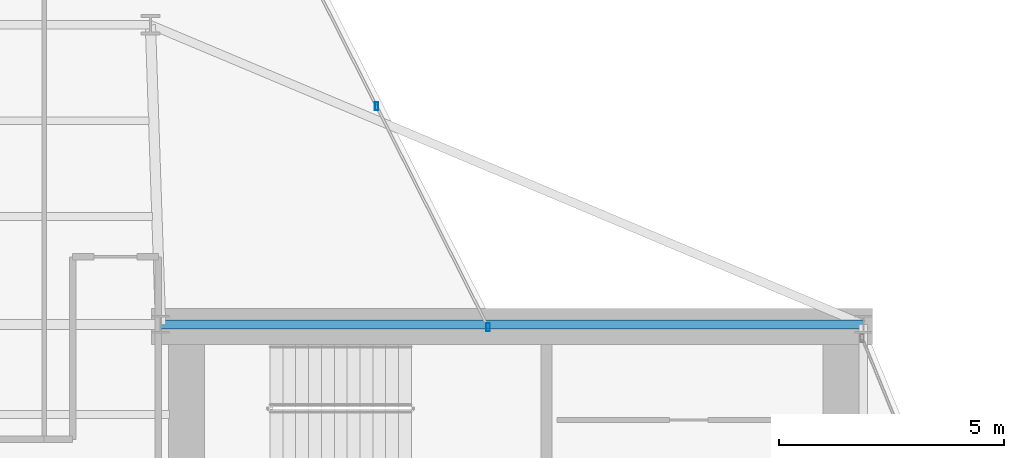
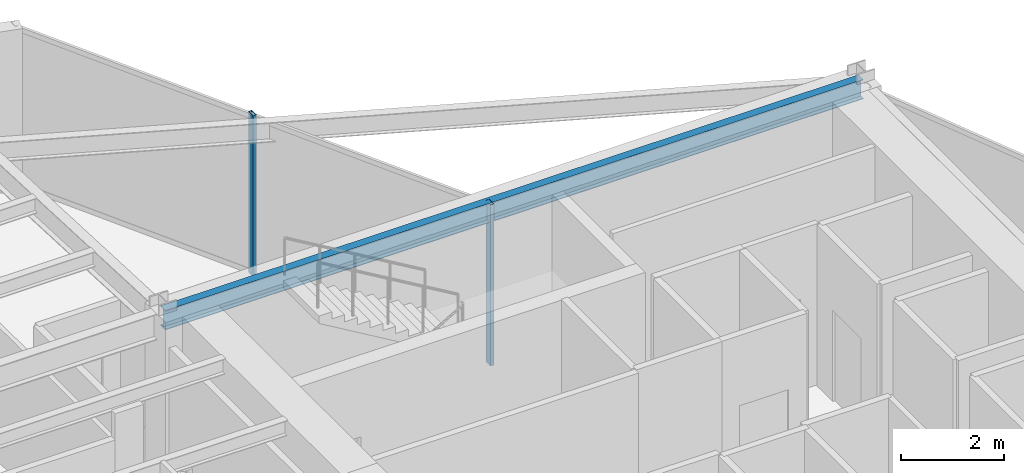
# One storey, part 16 of 26: 2 members, 1 beam, 1 element without a shape of its own.
"""IFC4 building model written with IfcOpenShell, lengths in metres."""

from ifc_helpers import new_model, si_unit, direction, frame, origin, origin_2d, place, context, subcontext, project, spatial, hollow_rectangle, i_section, extrude, material, layer, layer_set, material_profile, profile_set, type_object, element, aggregate, save


model = new_model("IFC4")

# Units and contexts
model_context = context("Model", 3, precision=1e-05, world=origin(), true_north=direction((0.0, 1.0)))
body_context = subcontext(model_context, "Body", "Model", "MODEL_VIEW")
ifc_project = project(units=[si_unit("LENGTHUNIT", "METRE"), si_unit("AREAUNIT", "SQUARE_METRE"), si_unit("VOLUMEUNIT", "CUBIC_METRE"), si_unit("PLANEANGLEUNIT", "RADIAN"), si_unit("MASSUNIT", "GRAM", prefix="KILO")], contexts=[model_context])

# Site, building, storey
site_placement = place(None, origin())
site = spatial("IfcSite", under=ifc_project, at=site_placement, CompositionType="ELEMENT")
building_placement = place(site_placement, origin())
building = spatial("IfcBuilding", under=site, at=building_placement, Name="Veymaron Broadcast Tower", CompositionType="ELEMENT")
storey_placement = place(building_placement, frame((0.0, 0.0, 133.050048828125)))
storey = spatial("IfcBuildingStorey", under=building, at=storey_placement, Name="L30", CompositionType="ELEMENT", Elevation=133.050048828125)

# Beam
ifc_material_1 = material(Name="Structural steel ASTM A992 Gr 50", Category="steel")
ifc_material_profile_1 = material_profile(ifc_material_1, i_section(OverallWidth=0.19091796875, OverallDepth=0.4599609375, WebThickness=0.010009765625, FlangeThickness=0.01611328125, at=origin_2d()), Name="W460X82")
ifc_profile_set_1 = profile_set([ifc_material_profile_1], Name="Structural steel ASTM A992 Gr 50")
beam_type = type_object("IfcBeamType", Name="BM-SP1", PredefinedType="SPANDREL", material=ifc_profile_set_1)
beam_placement = place(storey_placement, frame((39.0, 32.0, 3.579833984375), z_axis=(1.0, 0.0, 0.0), x_axis=(0.0, 1.0, 0.0)))
element("IfcBeam", 1, at=beam_placement, inside=storey, type_object=beam_type, Name="L30 primary structural floor girder", PredefinedType="SPANDREL", context=body_context, shape_type="SweptSolid", body=[
    extrude(i_section(OverallWidth=0.19091796875, OverallDepth=0.4599609375, WebThickness=0.010009765625, FlangeThickness=0.01611328125, at=origin_2d()), origin(), (0.0, 0.0, 1.0), 15.60009765625),
])

# Curtain wall, members
ifc_material_2 = material(Name="Anodised aluminium AA 6063-T6 and laminated low-E dark glass", Category="aluminium")
ifc_layer = layer(ifc_material_2, 0.179931640625)
ifc_layer_set = layer_set([ifc_layer], Name="Anodised aluminium AA 6063-T6 and laminated low-E dark glass")
curtain_wall_type = type_object("IfcCurtainWallType", Name="CW-SYS-03", PredefinedType="NOTDEFINED", material=ifc_layer_set)
curtain_wall_placement = place(storey_placement, origin())
curtain_wall = element("IfcCurtainWall", 2, at=curtain_wall_placement, inside=storey, type_object=curtain_wall_type, Name="L30 dark-glass curtain wall CW-L30-E5-1", PredefinedType="NOTDEFINED")
ifc_material_3 = material(Name="Anodised aluminium AA 6063-T6", Category="aluminium")
ifc_material_profile_2 = material_profile(ifc_material_3, hollow_rectangle(XDim=0.074951171875, YDim=0.179931640625, WallThickness=0.0048828125, at=origin_2d()), Name="AL180X75X5")
ifc_profile_set_2 = profile_set([ifc_material_profile_2], Name="Anodised aluminium AA 6063-T6")
member_type = type_object("IfcMemberType", Name="CW-MUL-02", PredefinedType="MULLION", material=ifc_profile_set_2)
member_1_placement = place(storey_placement, frame((46.27099609375, 31.93701171875, 0.0), z_axis=(0.0, 0.0, 1.0), x_axis=(1.0, 0.0, 0.0)))
member_1 = element("IfcMember", 3, at=member_1_placement, type_object=member_type, Name="CW-L30-E5-1 mullion 0", PredefinedType="MULLION", context=body_context, shape_type="SweptSolid", body=[
    extrude(hollow_rectangle(XDim=0.074951171875, YDim=0.179931640625, WallThickness=0.0048828125, at=origin_2d()), origin(), (0.0, 0.0, 1.0), 3.81005859375),
])
member_2_placement = place(storey_placement, frame((43.79296875, 36.841796875, 0.0), z_axis=(0.0, 0.0, 1.0), x_axis=(1.0, 0.0, 0.0)))
member_2 = element("IfcMember", 4, at=member_2_placement, type_object=member_type, Name="CW-L30-E5-1 mullion 1", PredefinedType="MULLION", context=body_context, shape_type="SweptSolid", body=[
    extrude(hollow_rectangle(XDim=0.074951171875, YDim=0.179931640625, WallThickness=0.0048828125, at=origin_2d()), origin(), (0.0, 0.0, 1.0), 3.81005859375),
])
aggregate(curtain_wall, [member_1, member_2])

save(model, "model.ifc")
